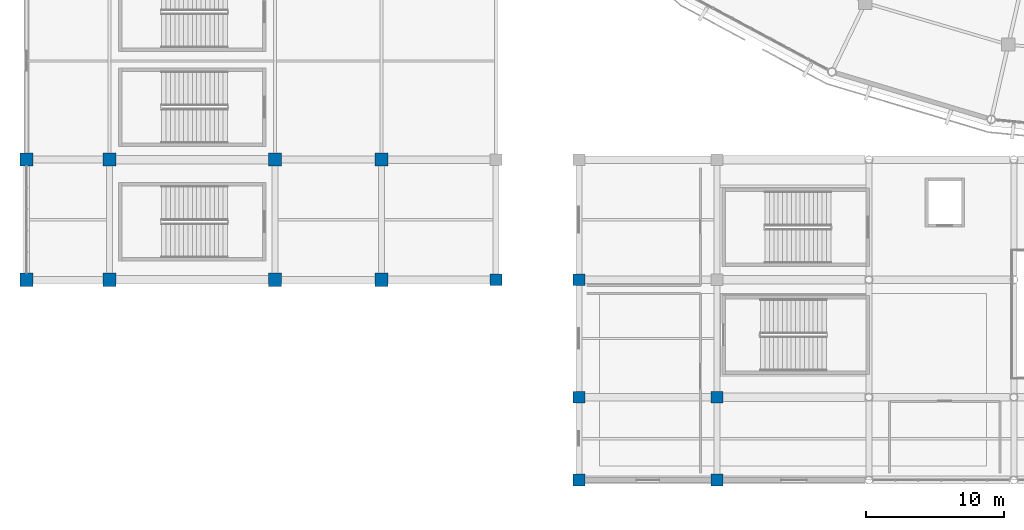
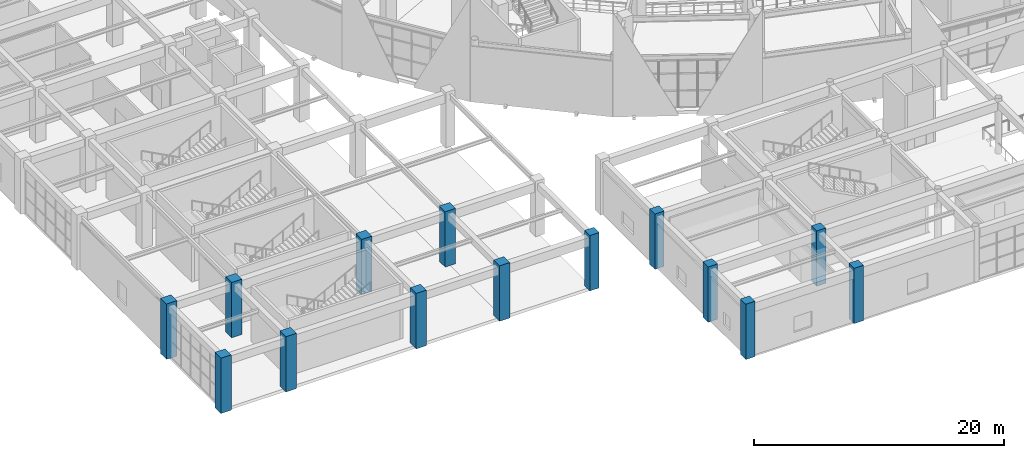
# One storey, part 1 of 120: 14 columns.
"""IFC4 building model written with IfcOpenShell, lengths in metres."""

from ifc_helpers import new_model, si_unit, direction, frame, origin, origin_2d, place, context, subcontext, project, spatial, rectangle, extrude, material, material_profile, profile_set, type_object, element, save


model = new_model("IFC4")

# Units and contexts
model_context = context("Model", 3, precision=1e-05, world=origin(), true_north=direction((0.0, 1.0)))
body_context = subcontext(model_context, "Body", "Model", "MODEL_VIEW")
ifc_project = project(units=[si_unit("LENGTHUNIT", "METRE"), si_unit("AREAUNIT", "SQUARE_METRE"), si_unit("VOLUMEUNIT", "CUBIC_METRE"), si_unit("PLANEANGLEUNIT", "RADIAN"), si_unit("MASSUNIT", "GRAM", prefix="KILO")], contexts=[model_context])

# Site, building, storey
site_placement = place(None, origin())
site = spatial("IfcSite", under=ifc_project, at=site_placement, CompositionType="ELEMENT")
building_placement = place(site_placement, origin())
building = spatial("IfcBuilding", under=site, at=building_placement, Name="Cuetzalor Civic Arena", CompositionType="ELEMENT")
storey_placement = place(building_placement, frame((0.0, 0.0, 6.0)))
storey = spatial("IfcBuildingStorey", under=building, at=storey_placement, Name="L01", CompositionType="ELEMENT", Elevation=6.0)

# Columns
ifc_material_1 = material(Name="Concrete C40/50", Category="concrete")
ifc_material_profile_1 = material_profile(ifc_material_1, rectangle(XDim=0.85009765625, YDim=0.85009765625, at=origin_2d()), Name="RC 850x850")
ifc_profile_set_1 = profile_set([ifc_material_profile_1], Name="Concrete C40/50")
column_type_1 = type_object("IfcColumnType", Name="ConcreteColumn_850", PredefinedType="COLUMN", material=ifc_profile_set_1)
for number, where, z_axis, x_axis, name in (
    (1, (-42.0, -71.5, 0.0), (0.0, 0.0, 1.0), (1.0, 0.0, 0.0), "Column V3-C-01-01 L01"),
    (2, (-42.0, -65.5, 0.0), (0.0, 0.0, 1.0), (1.0, 0.0, 0.0), "Column V3-C-01-02 L01"),
    (3, (-42.0, -57.0, 0.0), (0.0, 0.0, 1.0), (1.0, 0.0, 0.0), "Column V3-C-01-03 L01"),
    (4, (-32.0, -71.5, 0.0), (0.0, 0.0, 1.0), (1.0, 0.0, 0.0), "Column V3-C-02-01 L01"),
    (5, (-32.0, -65.5, 0.0), (0.0, 0.0, 1.0), (1.0, 0.0, 0.0), "Column V3-C-02-02 L01"),
    (6, (-48.0, -57.0, 0.0), (0.0, 0.0, 1.0), (1.0, 0.0, 0.0), "Column V4W-RET-01 L01"),
):
    element("IfcColumn", number, at=place(storey_placement, frame(where, z_axis=z_axis, x_axis=x_axis)), inside=storey, type_object=column_type_1, Name=name, PredefinedType="COLUMN", context=body_context, shape_type="SweptSolid", body=[
        extrude(rectangle(XDim=0.85009765625, YDim=0.85009765625, at=origin_2d()), origin(), (0.0, 0.0, 1.0), 5.39990234375),
    ])
ifc_material_2 = material(Name="Concrete C40/50", Category="concrete")
ifc_material_profile_2 = material_profile(ifc_material_2, rectangle(XDim=0.949951171875, YDim=0.949951171875, at=origin_2d()), Name="RC 950x950")
ifc_profile_set_2 = profile_set([ifc_material_profile_2], Name="Concrete C40/50")
column_type_2 = type_object("IfcColumnType", Name="ConcreteColumn_950", PredefinedType="COLUMN", material=ifc_profile_set_2)
for number, where, z_axis, x_axis, name in (
    (7, (-82.0, -57.0, 0.0), (0.0, 0.0, 1.0), (1.0, 0.0, 0.0), "Column V4W-C-01-01 L01"),
    (8, (-82.0, -48.300048828125, 0.0), (0.0, 0.0, 1.0), (1.0, 0.0, 0.0), "Column V4W-C-01-02 L01"),
    (9, (-76.0, -57.0, 0.0), (0.0, 0.0, 1.0), (1.0, 0.0, 0.0), "Column V4W-C-02-01 L01"),
    (10, (-76.0, -48.300048828125, 0.0), (0.0, 0.0, 1.0), (1.0, 0.0, 0.0), "Column V4W-C-02-02 L01"),
    (11, (-64.0, -57.0, 0.0), (0.0, 0.0, 1.0), (1.0, 0.0, 0.0), "Column V4W-C-03-01 L01"),
    (12, (-64.0, -48.300048828125, 0.0), (0.0, 0.0, 1.0), (1.0, 0.0, 0.0), "Column V4W-C-03-02 L01"),
    (13, (-56.300048828125, -57.0, 0.0), (0.0, 0.0, 1.0), (1.0, 0.0, 0.0), "Column V4W-C-04-01 L01"),
    (14, (-56.300048828125, -48.300048828125, 0.0), (0.0, 0.0, 1.0), (1.0, 0.0, 0.0), "Column V4W-C-04-02 L01"),
):
    element("IfcColumn", number, at=place(storey_placement, frame(where, z_axis=z_axis, x_axis=x_axis)), inside=storey, type_object=column_type_2, Name=name, PredefinedType="COLUMN", context=body_context, shape_type="SweptSolid", body=[
        extrude(rectangle(XDim=0.949951171875, YDim=0.949951171875, at=origin_2d()), origin(), (0.0, 0.0, 1.0), 5.39990234375),
    ])

save(model, "model.ifc")
